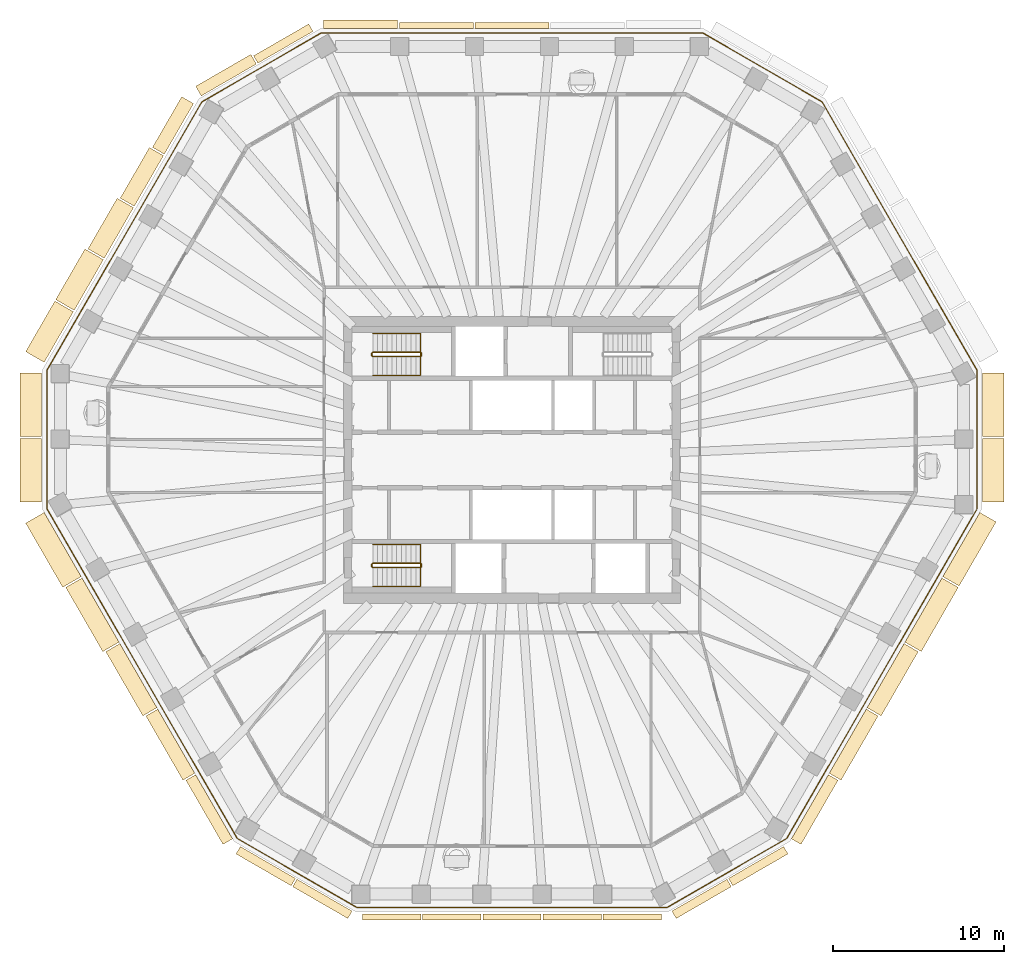
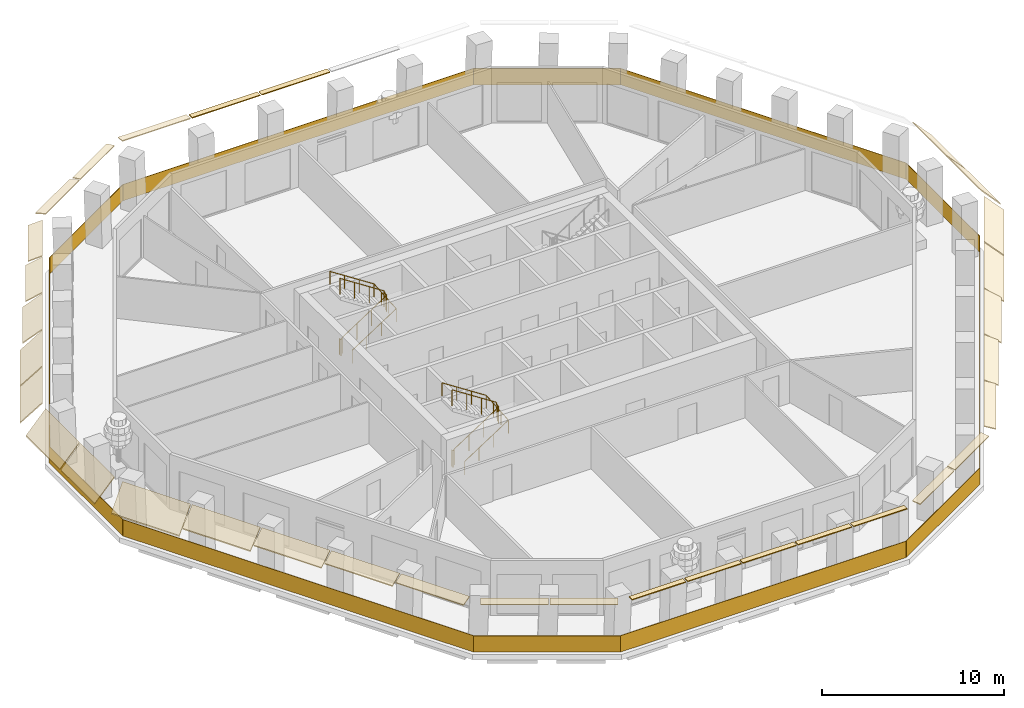
# One storey, part 9 of 12: 33 coverings, 5 railings.
"""IFC4 building model written with IfcOpenShell, lengths in metres."""

from ifc_helpers import new_model, si_unit, direction, frame, origin, origin_2d, place, context, subcontext, project, spatial, polyline, rectangle, circle, outline, extrude, material, layer, layer_set, type_object, element, save


model = new_model("IFC4")

# Units and contexts
model_context = context("Model", 3, precision=1e-05, world=origin(), true_north=direction((0.0, 1.0)))
body_context = subcontext(model_context, "Body", "Model", "MODEL_VIEW")
ifc_project = project(units=[si_unit("LENGTHUNIT", "METRE"), si_unit("AREAUNIT", "SQUARE_METRE"), si_unit("VOLUMEUNIT", "CUBIC_METRE"), si_unit("PLANEANGLEUNIT", "RADIAN"), si_unit("MASSUNIT", "GRAM", prefix="KILO")], contexts=[model_context])

# Site, building, storey
site_placement = place(None, origin())
site = spatial("IfcSite", under=ifc_project, at=site_placement, CompositionType="ELEMENT")
building_placement = place(site_placement, origin())
building = spatial("IfcBuilding", under=site, at=building_placement, Name="Frailejon Research Tower", CompositionType="ELEMENT")
storey_placement = place(building_placement, frame((0.0, 0.0, 249.39990234375)))
storey = spatial("IfcBuildingStorey", under=building, at=storey_placement, Name="L54", CompositionType="ELEMENT", Elevation=249.39990234375)

# Coverings
ifc_material_1 = material(Name="Precast concrete C50/60", Category="concrete")
ifc_layer_1 = layer(ifc_material_1, 0.06005859375)
ifc_layer_set_1 = layer_set([ifc_layer_1], Name="Brim blade depth 1100")
covering_type_1 = type_object("IfcCoveringType", Name="Brim blade depth 1100", PredefinedType="CLADDING", material=ifc_layer_set_1)
covering_1_placement = place(storey_placement, frame((-23.8642578125, 11.8056640625, 3.85009765625), z_axis=(0.499998981795, 0.866025991645, 0.0), x_axis=(-0.866025991645, 0.499998981795, 0.0)))
element("IfcCovering", 1, at=covering_1_placement, inside=storey, type_object=covering_type_1, Name="Brim blade L54", PredefinedType="CLADDING", context=body_context, shape_type="SweptSolid", body=[
    extrude(outline(polyline([(0.0, -0.078369140625), (1.10009765625, -1.001220703125), (1.10009765625, -0.923095703125), (0.0, 0.0), (0.0, -0.078369140625)])), origin(), (0.0, 0.0, 1.0), 3.41650390625),
])
for number, where, z_axis, x_axis, name in (
    (2, (-22.999755859375, -10.6630859375, 3.85009765625), (-0.500005723253, 0.866022099438, 0.0), (-0.866022099438, -0.500005723253, 0.0), "Brim blade L54"),
    (3, (25.165283203125, -6.912353515625, 3.85009765625), (-0.500005723253, -0.866022099438, 0.0), (0.866022099438, -0.500005723253, 0.0), "Brim blade L54"),
    (4, (27.380615234375, -3.0751953125, 3.85009765625), (-0.499988796889, -0.866031871807, 0.0), (0.866031871807, -0.499988796889, 0.0), "Brim blade L54"),
):
    element("IfcCovering", number, at=place(storey_placement, frame(where, z_axis=z_axis, x_axis=x_axis)), inside=storey, type_object=covering_type_1, Name=name, PredefinedType="CLADDING", context=body_context, shape_type="SweptSolid", body=[
        extrude(outline(polyline([(0.0, -0.078369140625), (1.10009765625, -1.001220703125), (1.10009765625, -0.923095703125), (0.0, 0.0), (0.0, -0.078369140625)])), origin(), (0.0, 0.0, 1.0), 4.330810546875),
    ])
ifc_material_2 = material(Name="Precast concrete C50/60", Category="concrete")
ifc_layer_2 = layer(ifc_material_2, 0.06005859375)
ifc_layer_set_2 = layer_set([ifc_layer_2], Name="Brim blade depth 1250")
covering_type_2 = type_object("IfcCoveringType", Name="Brim blade depth 1250", PredefinedType="CLADDING", material=ifc_layer_set_2)
for number, where, z_axis, x_axis, name in (
    (5, (27.54638671875, 1.27001953125, 3.85009765625), (0.0, -1.0, 0.0), (1.0, 0.0, 0.0), "Brim blade L54"),
    (6, (27.54638671875, 5.0966796875, 3.85009765625), (0.0, -1.0, 0.0), (1.0, 0.0, 0.0), "Brim blade L54"),
):
    element("IfcCovering", number, at=place(storey_placement, frame(where, z_axis=z_axis, x_axis=x_axis)), inside=storey, type_object=covering_type_2, Name=name, PredefinedType="CLADDING", context=body_context, shape_type="SweptSolid", body=[
        extrude(outline(polyline([(0.0, -0.0888671875), (1.25, -1.452880859375), (1.25, -1.364013671875), (0.0, 0.0), (0.0, -0.0888671875)])), origin(), (0.0, 0.0, 1.0), 3.726806640625),
    ])
for number, where, z_axis, x_axis, name in (
    (7, (-25.62255859375, 8.76025390625, 3.85009765625), (0.499998981795, 0.866025991645, 0.0), (-0.866025991645, 0.499998981795, 0.0), "Brim blade L54"),
    (8, (-27.380615234375, 5.71484375, 3.85009765625), (0.499986667949, 0.866033100911, 0.0), (-0.866033100911, 0.499986667949, 0.0), "Brim blade L54"),
):
    element("IfcCovering", number, at=place(storey_placement, frame(where, z_axis=z_axis, x_axis=x_axis)), inside=storey, type_object=covering_type_2, Name=name, PredefinedType="CLADDING", context=body_context, shape_type="SweptSolid", body=[
        extrude(outline(polyline([(0.0, -0.0888671875), (1.25, -1.452880859375), (1.25, -1.364013671875), (0.0, 0.0), (0.0, -0.0888671875)])), origin(), (0.0, 0.0, 1.0), 3.41650390625),
    ])
for number, where, z_axis, x_axis, name in (
    (9, (-27.54638671875, 1.369873046875, 3.85009765625), (0.0, 1.0, 0.0), (-1.0, 0.0, 0.0), "Brim blade L54"),
    (10, (-27.54638671875, -2.456787109375, 3.85009765625), (0.0, 1.0, 0.0), (-1.0, 0.0, 0.0), "Brim blade L54"),
):
    element("IfcCovering", number, at=place(storey_placement, frame(where, z_axis=z_axis, x_axis=x_axis)), inside=storey, type_object=covering_type_2, Name=name, PredefinedType="CLADDING", context=body_context, shape_type="SweptSolid", body=[
        extrude(outline(polyline([(0.0, -0.0888671875), (1.25, -1.452880859375), (1.25, -1.364013671875), (0.0, 0.0), (0.0, -0.0888671875)])), origin(), (0.0, 0.0, 1.0), 3.726806640625),
    ])
covering_2_placement = place(storey_placement, frame((-25.21533203125, -6.82568359375, 3.85009765625), z_axis=(-0.499988796889, 0.866031871807, 0.0), x_axis=(-0.866031871807, -0.499988796889, 0.0)))
element("IfcCovering", 11, at=covering_2_placement, inside=storey, type_object=covering_type_2, Name="Brim blade L54", PredefinedType="CLADDING", context=body_context, shape_type="SweptSolid", body=[
    extrude(outline(polyline([(0.0, -0.0888671875), (1.25, -1.452880859375), (1.25, -1.364013671875), (0.0, 0.0), (0.0, -0.0888671875)])), origin(), (0.0, 0.0, 1.0), 4.330810546875),
])
ifc_material_3 = material(Name="Precast concrete C50/60", Category="concrete")
ifc_layer_3 = layer(ifc_material_3, 0.06005859375)
ifc_layer_set_3 = layer_set([ifc_layer_3], Name="Brim blade depth 350")
covering_type_3 = type_object("IfcCoveringType", Name="Brim blade depth 350", PredefinedType="CLADDING", material=ifc_layer_set_3)
covering_3_placement = place(storey_placement, frame((-2.16552734375, 25.25, 3.85009765625), z_axis=(1.0, 0.0, 0.0), x_axis=(0.0, 1.0, 0.0)))
element("IfcCovering", 12, at=covering_3_placement, inside=storey, type_object=covering_type_3, Name="Brim blade L54", PredefinedType="CLADDING", context=body_context, shape_type="SweptSolid", body=[
    extrude(outline(polyline([(0.0, -0.06005859375), (0.35009765625, -0.06005859375), (0.35009765625, 0.0), (0.0, 0.0), (0.0, -0.06005859375)])), origin(), (0.0, 0.0, 1.0), 4.3310546875),
])
covering_4_placement = place(storey_placement, frame((-6.596435546875, 25.25, 3.85009765625), z_axis=(1.0, 0.0, 0.0), x_axis=(0.0, 1.0, 0.0)))
element("IfcCovering", 13, at=covering_4_placement, inside=storey, type_object=covering_type_3, Name="Brim blade L54", PredefinedType="CLADDING", context=body_context, shape_type="SweptSolid", body=[
    extrude(outline(polyline([(0.0, -0.06005859375), (0.35009765625, -0.06005859375), (0.35009765625, 0.0), (0.0, 0.0), (0.0, -0.06005859375)])), origin(), (0.0, 0.0, 1.0), 4.330810546875),
])
for number, where, z_axis, x_axis, name in (
    (14, (-5.32470703125, -26.56982421875, 3.85009765625), (-1.0, 0.0, 0.0), (0.0, -1.0, 0.0), "Brim blade L54"),
    (15, (-1.80810546875, -26.56982421875, 3.85009765625), (-1.0, 0.0, 0.0), (0.0, -1.0, 0.0), "Brim blade L54"),
    (16, (1.708251953125, -26.56982421875, 3.85009765625), (-1.0, 0.0, 0.0), (0.0, -1.0, 0.0), "Brim blade L54"),
    (17, (5.224609375, -26.56982421875, 3.85009765625), (-1.0, 0.0, 0.0), (0.0, -1.0, 0.0), "Brim blade L54"),
    (18, (8.7412109375, -26.56982421875, 3.85009765625), (-1.0, 0.0, 0.0), (0.0, -1.0, 0.0), "Brim blade L54"),
):
    element("IfcCovering", number, at=place(storey_placement, frame(where, z_axis=z_axis, x_axis=x_axis)), inside=storey, type_object=covering_type_3, Name=name, PredefinedType="CLADDING", context=body_context, shape_type="SweptSolid", body=[
        extrude(outline(polyline([(0.0, -0.06005859375), (0.35009765625, -0.06005859375), (0.35009765625, 0.0), (0.0, 0.0), (0.0, -0.06005859375)])), origin(), (0.0, 0.0, 1.0), 3.41650390625),
    ])
ifc_material_4 = material(Name="Precast concrete C50/60", Category="concrete")
ifc_layer_4 = layer(ifc_material_4, 0.06005859375)
ifc_layer_set_4 = layer_set([ifc_layer_4], Name="Brim blade depth 500")
covering_type_4 = type_object("IfcCoveringType", Name="Brim blade depth 500", PredefinedType="CLADDING", material=ifc_layer_set_4)
covering_5_placement = place(storey_placement, frame((-11.02734375, 25.25, 3.85009765625), z_axis=(1.0, 0.0, 0.0), x_axis=(0.0, 1.0, 0.0)))
element("IfcCovering", 19, at=covering_5_placement, inside=storey, type_object=covering_type_4, Name="Brim blade L54", PredefinedType="CLADDING", context=body_context, shape_type="SweptSolid", body=[
    extrude(outline(polyline([(0.0, -0.060546875), (0.5, -0.130859375), (0.5, -0.0703125), (0.0, 0.0), (0.0, -0.060546875)])), origin(), (0.0, 0.0, 1.0), 4.330810546875),
])
for number, where, z_axis, x_axis, name in (
    (20, (-14.873046875, 23.220947265625, 3.85009765625), (0.866018477835, 0.500011995905, 0.0), (-0.500011995905, 0.866018477835, 0.0), "Brim blade L54"),
    (21, (-12.673583984375, -24.49072265625, 3.85009765625), (-0.866029793251, 0.499992397145, 0.0), (-0.499992397145, -0.866029793251, 0.0), "Brim blade L54"),
    (22, (-9.359375, -26.404296875, 3.85009765625), (-0.866025010706, 0.50000068083, 0.0), (-0.50000068083, -0.866025010706, 0.0), "Brim blade L54"),
    (23, (12.5869140625, -24.540771484375, 3.85009765625), (-0.866025010706, -0.50000068083, 0.0), (0.50000068083, -0.866025010706, 0.0), "Brim blade L54"),
    (24, (15.90087890625, -22.62744140625, 3.85009765625), (-0.866029793251, -0.499992397145, 0.0), (0.499992397145, -0.866029793251, 0.0), "Brim blade L54"),
):
    element("IfcCovering", number, at=place(storey_placement, frame(where, z_axis=z_axis, x_axis=x_axis)), inside=storey, type_object=covering_type_4, Name=name, PredefinedType="CLADDING", context=body_context, shape_type="SweptSolid", body=[
        extrude(outline(polyline([(0.0, -0.060546875), (0.5, -0.130859375), (0.5, -0.0703125), (0.0, 0.0), (0.0, -0.060546875)])), origin(), (0.0, 0.0, 1.0), 3.726806640625),
    ])
ifc_material_5 = material(Name="Precast concrete C50/60", Category="concrete")
ifc_layer_5 = layer(ifc_material_5, 0.06005859375)
ifc_layer_set_5 = layer_set([ifc_layer_5], Name="Brim blade depth 650")
covering_type_5 = type_object("IfcCoveringType", Name="Brim blade depth 650", PredefinedType="CLADDING", material=ifc_layer_set_5)
covering_6_placement = place(storey_placement, frame((-18.18701171875, 21.3076171875, 3.85009765625), z_axis=(0.866029793251, 0.499992397145, 0.0), x_axis=(-0.499992397145, 0.866029793251, 0.0)))
element("IfcCovering", 25, at=covering_6_placement, inside=storey, type_object=covering_type_5, Name="Brim blade L54", PredefinedType="CLADDING", context=body_context, shape_type="SweptSolid", body=[
    extrude(outline(polyline([(0.0, -0.0625), (0.64990234375, -0.248779296875), (0.64990234375, -0.186279296875), (0.0, 0.0), (0.0, -0.0625)])), origin(), (0.0, 0.0, 1.0), 3.726806640625),
])
for number, where, z_axis, x_axis, name in (
    (26, (-16.353515625, -22.1748046875, 3.85009765625), (-0.499988796889, 0.866031871807, 0.0), (-0.866031871807, -0.499988796889, 0.0), "Brim blade L54"),
    (27, (18.518798828125, -18.42431640625, 3.85009765625), (-0.499988796889, -0.866031871807, 0.0), (0.866031871807, -0.499988796889, 0.0), "Brim blade L54"),
):
    element("IfcCovering", number, at=place(storey_placement, frame(where, z_axis=z_axis, x_axis=x_axis)), inside=storey, type_object=covering_type_5, Name=name, PredefinedType="CLADDING", context=body_context, shape_type="SweptSolid", body=[
        extrude(outline(polyline([(0.0, -0.0625), (0.64990234375, -0.248779296875), (0.64990234375, -0.186279296875), (0.0, 0.0), (0.0, -0.0625)])), origin(), (0.0, 0.0, 1.0), 4.330810546875),
    ])
ifc_material_6 = material(Name="Precast concrete C50/60", Category="concrete")
ifc_layer_6 = layer(ifc_material_6, 0.06005859375)
ifc_layer_set_6 = layer_set([ifc_layer_6], Name="Brim blade depth 800")
covering_type_6 = type_object("IfcCoveringType", Name="Brim blade depth 800", PredefinedType="CLADDING", material=ifc_layer_set_6)
covering_7_placement = place(storey_placement, frame((-20.347900390625, 17.896240234375, 3.85009765625), z_axis=(0.500007996105, 0.866020787182, 0.0), x_axis=(-0.866020787182, 0.500007996105, 0.0)))
element("IfcCovering", 28, at=covering_7_placement, inside=storey, type_object=covering_type_6, Name="Brim blade L54", PredefinedType="CLADDING", context=body_context, shape_type="SweptSolid", body=[
    extrude(outline(polyline([(0.0, -0.065673828125), (0.800048828125, -0.421875), (0.800048828125, -0.356201171875), (0.0, 0.0), (0.0, -0.065673828125)])), origin(), (0.0, 0.0, 1.0), 3.41650390625),
])
for number, where, z_axis, x_axis, name in (
    (29, (-18.56884765625, -18.337646484375, 3.85009765625), (-0.500005723253, 0.866022099438, 0.0), (-0.866022099438, -0.500005723253, 0.0), "Brim blade L54"),
    (30, (20.734375, -14.5869140625, 3.85009765625), (-0.500005723253, -0.866022099438, 0.0), (0.866022099438, -0.500005723253, 0.0), "Brim blade L54"),
):
    element("IfcCovering", number, at=place(storey_placement, frame(where, z_axis=z_axis, x_axis=x_axis)), inside=storey, type_object=covering_type_6, Name=name, PredefinedType="CLADDING", context=body_context, shape_type="SweptSolid", body=[
        extrude(outline(polyline([(0.0, -0.065673828125), (0.800048828125, -0.421875), (0.800048828125, -0.356201171875), (0.0, 0.0), (0.0, -0.065673828125)])), origin(), (0.0, 0.0, 1.0), 4.330810546875),
    ])
ifc_material_7 = material(Name="Precast concrete C50/60", Category="concrete")
ifc_layer_7 = layer(ifc_material_7, 0.06005859375)
ifc_layer_set_7 = layer_set([ifc_layer_7], Name="Brim blade depth 950")
covering_type_7 = type_object("IfcCoveringType", Name="Brim blade depth 950", PredefinedType="CLADDING", material=ifc_layer_set_7)
covering_8_placement = place(storey_placement, frame((-22.106201171875, 14.850830078125, 3.85009765625), z_axis=(0.499998981795, 0.866025991645, 0.0), x_axis=(-0.866025991645, 0.499998981795, 0.0)))
element("IfcCovering", 31, at=covering_8_placement, inside=storey, type_object=covering_type_7, Name="Brim blade L54", PredefinedType="CLADDING", context=body_context, shape_type="SweptSolid", body=[
    extrude(outline(polyline([(0.0, -0.07080078125), (0.949951171875, -0.664306640625), (0.949951171875, -0.593505859375), (0.0, 0.0), (0.0, -0.07080078125)])), origin(), (0.0, 0.0, 1.0), 3.41650390625),
])
for number, where, z_axis, x_axis, name in (
    (32, (-20.784423828125, -14.500244140625, 3.85009765625), (-0.499998568987, 0.866026229978, 0.0), (-0.866026229978, -0.499998568987, 0.0), "Brim blade L54"),
    (33, (22.94970703125, -10.749755859375, 3.85009765625), (-0.499998568987, -0.866026229978, 0.0), (0.866026229978, -0.499998568987, 0.0), "Brim blade L54"),
):
    element("IfcCovering", number, at=place(storey_placement, frame(where, z_axis=z_axis, x_axis=x_axis)), inside=storey, type_object=covering_type_7, Name=name, PredefinedType="CLADDING", context=body_context, shape_type="SweptSolid", body=[
        extrude(outline(polyline([(0.0, -0.07080078125), (0.949951171875, -0.664306640625), (0.949951171875, -0.593505859375), (0.0, 0.0), (0.0, -0.07080078125)])), origin(), (0.0, 0.0, 1.0), 4.330810546875),
    ])

# Railings
ifc_material_8 = material(Name="Laminated glass balustrade", Category="glass")
railing_type_1 = type_object("IfcRailingType", Name="Glass guard 1100", PredefinedType="GUARDRAIL", material=ifc_material_8)
railing_1_placement = place(storey_placement, frame((27.226318359375, -2.84765625, 0.0)))
element("IfcRailing", 34, at=railing_1_placement, inside=storey, type_object=railing_type_1, Name="Loggia guard L54", PredefinedType="GUARDRAIL", context=body_context, shape_type="SweptSolid", body=[
    extrude(rectangle(XDim=8.083740234375, YDim=0.030029296875, at=origin_2d()), frame((0.0, 4.0419921875, 0.0), z_axis=(0.0, 0.0, 1.0), x_axis=(0.0, 1.0, 0.0)), (0.0, 0.0, 1.0), 1.10009765625),
    extrude(rectangle(XDim=18.1572265625, YDim=0.030029296875, at=origin_2d()), frame((-4.539306640625, 15.946044921875, 0.0), z_axis=(0.0, 0.0, 1.0), x_axis=(-0.500000240635, 0.866025264854, 0.0)), (0.0, 0.0, 1.0), 1.10009765625),
    extrude(rectangle(XDim=8.08349609375, YDim=0.030029296875, at=origin_2d()), frame((-12.578857421875, 25.829345703125, 0.0), z_axis=(0.0, 0.0, 1.0), x_axis=(-0.866011562111, 0.500023973715, 0.0)), (0.0, 0.0, 1.0), 1.10009765625),
    extrude(rectangle(XDim=22.29443359375, YDim=0.030029296875, at=origin_2d()), frame((-27.226318359375, 27.850341796875, 0.0), z_axis=(0.0, 0.0, 1.0), x_axis=(-1.0, 0.0, 0.0)), (0.0, 0.0, 1.0), 1.10009765625),
    extrude(rectangle(XDim=8.08349609375, YDim=0.030029296875, at=origin_2d()), frame((-41.873779296875, 25.829345703125, 0.0), z_axis=(0.0, 0.0, 1.0), x_axis=(-0.866011562111, -0.500023973715, 0.0)), (0.0, 0.0, 1.0), 1.10009765625),
    extrude(rectangle(XDim=18.1572265625, YDim=0.030029296875, at=origin_2d()), frame((-49.913330078125, 15.946044921875, 0.0), z_axis=(0.0, 0.0, 1.0), x_axis=(-0.500000240635, -0.866025264854, 0.0)), (0.0, 0.0, 1.0), 1.10009765625),
    extrude(rectangle(XDim=8.083740234375, YDim=0.030029296875, at=origin_2d()), frame((-54.45263671875, 4.0419921875, 0.0), z_axis=(0.0, 0.0, 1.0), x_axis=(0.0, -1.0, 0.0)), (0.0, 0.0, 1.0), 1.10009765625),
    extrude(rectangle(XDim=22.294189453125, YDim=0.030029296875, at=origin_2d()), frame((-48.879150390625, -9.65380859375, 0.0), z_axis=(0.0, 0.0, 1.0), x_axis=(0.499995143237, -0.86602820782, 0.0)), (0.0, 0.0, 1.0), 1.10009765625),
    extrude(rectangle(XDim=8.083740234375, YDim=0.030029296875, at=origin_2d()), frame((-39.80517578125, -21.328125, 0.0), z_axis=(0.0, 0.0, 1.0), x_axis=(0.866032190624, -0.499988244665, 0.0)), (0.0, 0.0, 1.0), 1.10009765625),
    extrude(rectangle(XDim=18.1572265625, YDim=0.030029296875, at=origin_2d()), frame((-27.226318359375, -23.34912109375, 0.0), z_axis=(0.0, 0.0, 1.0), x_axis=(1.0, 0.0, 0.0)), (0.0, 0.0, 1.0), 1.10009765625),
    extrude(rectangle(XDim=8.083740234375, YDim=0.030029296875, at=origin_2d()), frame((-14.6474609375, -21.328125, 0.0), z_axis=(0.0, 0.0, 1.0), x_axis=(0.866032190624, 0.499988244665, 0.0)), (0.0, 0.0, 1.0), 1.10009765625),
    extrude(rectangle(XDim=22.224365234375, YDim=0.030029296875, at=origin_2d()), frame((-5.5908203125, -9.68408203125, 0.0), z_axis=(0.0, 0.0, 1.0), x_axis=(0.499996634604, 0.866027346788, 0.0)), (0.0, 0.0, 1.0), 1.10009765625),
])
ifc_material_9 = material(Name="Stainless steel", Category="steel")
railing_type_2 = type_object("IfcRailingType", Name="Stair guard 1100", PredefinedType="GUARDRAIL", material=ifc_material_9)
railing_2_placement = place(storey_placement, frame((-8.199951171875, 6.25, 0.0)))
element("IfcRailing", 35, at=railing_2_placement, inside=storey, type_object=railing_type_2, Name="L54 ST1 stair guard 1", PredefinedType="GUARDRAIL", context=body_context, shape_type="SweptSolid", body=[
    extrude(circle(Radius=0.02392578125, at=origin_2d()), frame((0.0, 0.0, 1.076171875), z_axis=(0.0, -1.0, 0.0), x_axis=(1.0, 0.0, 0.0)), (0.0, 0.0, 1.0), 0.14990234375),
    extrude(circle(Radius=0.02392578125, at=origin_2d()), frame((0.0, -0.14990234375, 1.076171875), z_axis=(0.256435381639, -0.256435381639, 0.931923704005), x_axis=(0.707106781187, 0.707106781187, 0.0)), (0.0, 0.0, 1.0), 0.195068359375),
    extrude(circle(Radius=0.02392578125, at=origin_2d()), frame((0.050048828125, -0.199951171875, 1.2578125), z_axis=(0.83868413941, 0.0, 0.544618136222), x_axis=(0.0, 1.0, 0.0)), (0.0, 0.0, 1.0), 3.33837890625),
    extrude(circle(Radius=0.02392578125, at=origin_2d()), frame((2.849853515625, -0.199951171875, 3.076171875), z_axis=(0.707106781187, 0.707106781187, 0.0), x_axis=(-0.707106781187, 0.707106781187, 0.0)), (0.0, 0.0, 1.0), 0.07080078125),
    extrude(circle(Radius=0.02392578125, at=origin_2d()), frame((2.89990234375, -0.14990234375, 3.076171875), z_axis=(0.0, 1.0, 0.0), x_axis=(-1.0, 0.0, 0.0)), (0.0, 0.0, 1.0), 0.14990234375),
    extrude(circle(Radius=0.02392578125, at=origin_2d()), frame((2.89990234375, 0.0, 3.076171875), z_axis=(-0.256435381639, 0.256435381639, 0.931923704005), x_axis=(-0.707106781187, -0.707106781187, 0.0)), (0.0, 0.0, 1.0), 0.195068359375),
    extrude(circle(Radius=0.02392578125, at=origin_2d()), frame((2.849853515625, 0.050048828125, 3.2578125), z_axis=(-0.83868413941, 0.0, 0.544618136222), x_axis=(0.0, -1.0, 0.0)), (0.0, 0.0, 1.0), 3.33837890625),
    extrude(circle(Radius=0.02099609375, at=origin_2d()), origin(), (0.0, 0.0, 1.0), 1.052001953125),
    extrude(circle(Radius=0.02099609375, at=origin_2d()), frame((0.0, -0.14990234375, 0.0)), (0.0, 0.0, 1.0), 1.052001953125),
    extrude(circle(Radius=0.02099609375, at=origin_2d()), frame((0.050048828125, -0.199951171875, 0.181884765625)), (0.0, 0.0, 1.0), 1.052001953125),
    extrude(circle(Radius=0.02099609375, at=origin_2d()), frame((0.9833984375, -0.199951171875, 0.787841796875)), (0.0, 0.0, 1.0), 1.052001953125),
    extrude(circle(Radius=0.02099609375, at=origin_2d()), frame((1.91650390625, -0.199951171875, 1.39404296875)), (0.0, 0.0, 1.0), 1.052001953125),
    extrude(circle(Radius=0.02099609375, at=origin_2d()), frame((2.849853515625, -0.199951171875, 2.0)), (0.0, 0.0, 1.0), 1.052001953125),
    extrude(circle(Radius=0.02099609375, at=origin_2d()), frame((2.89990234375, -0.14990234375, 2.0)), (0.0, 0.0, 1.0), 1.052001953125),
    extrude(circle(Radius=0.02099609375, at=origin_2d()), frame((2.89990234375, 0.0, 2.0)), (0.0, 0.0, 1.0), 1.052001953125),
    extrude(circle(Radius=0.02099609375, at=origin_2d()), frame((2.849853515625, 0.050048828125, 2.181884765625)), (0.0, 0.0, 1.0), 1.052001953125),
    extrude(circle(Radius=0.02099609375, at=origin_2d()), frame((1.91650390625, 0.050048828125, 2.787841796875)), (0.0, 0.0, 1.0), 1.052001953125),
    extrude(circle(Radius=0.02099609375, at=origin_2d()), frame((0.9833984375, 0.050048828125, 3.39404296875)), (0.0, 0.0, 1.0), 1.052001953125),
    extrude(circle(Radius=0.02099609375, at=origin_2d()), frame((0.050048828125, 0.050048828125, 4.0)), (0.0, 0.0, 1.0), 1.052001953125),
])
railing_3_placement = place(storey_placement, frame((-8.199951171875, -6.10009765625, 0.0)))
element("IfcRailing", 36, at=railing_3_placement, inside=storey, type_object=railing_type_2, Name="L54 ST2 stair guard 1", PredefinedType="GUARDRAIL", context=body_context, shape_type="SweptSolid", body=[
    extrude(circle(Radius=0.02392578125, at=origin_2d()), frame((0.0, 0.0, 1.076171875), z_axis=(0.0, -1.0, 0.0), x_axis=(1.0, 0.0, 0.0)), (0.0, 0.0, 1.0), 0.14990234375),
    extrude(circle(Radius=0.02392578125, at=origin_2d()), frame((0.0, -0.14990234375, 1.076171875), z_axis=(0.256435381639, -0.256435381639, 0.931923704005), x_axis=(0.707106781187, 0.707106781187, 0.0)), (0.0, 0.0, 1.0), 0.195068359375),
    extrude(circle(Radius=0.02392578125, at=origin_2d()), frame((0.050048828125, -0.199951171875, 1.2578125), z_axis=(0.83868413941, 0.0, 0.544618136222), x_axis=(0.0, 1.0, 0.0)), (0.0, 0.0, 1.0), 3.33837890625),
    extrude(circle(Radius=0.02392578125, at=origin_2d()), frame((2.849853515625, -0.199951171875, 3.076171875), z_axis=(0.707106781187, 0.707106781187, 0.0), x_axis=(-0.707106781187, 0.707106781187, 0.0)), (0.0, 0.0, 1.0), 0.07080078125),
    extrude(circle(Radius=0.02392578125, at=origin_2d()), frame((2.89990234375, -0.14990234375, 3.076171875), z_axis=(0.0, 1.0, 0.0), x_axis=(-1.0, 0.0, 0.0)), (0.0, 0.0, 1.0), 0.14990234375),
    extrude(circle(Radius=0.02392578125, at=origin_2d()), frame((2.89990234375, 0.0, 3.076171875), z_axis=(-0.256435381639, 0.256435381639, 0.931923704005), x_axis=(-0.707106781187, -0.707106781187, 0.0)), (0.0, 0.0, 1.0), 0.195068359375),
    extrude(circle(Radius=0.02392578125, at=origin_2d()), frame((2.849853515625, 0.050048828125, 3.2578125), z_axis=(-0.83868413941, 0.0, 0.544618136222), x_axis=(0.0, -1.0, 0.0)), (0.0, 0.0, 1.0), 3.33837890625),
    extrude(circle(Radius=0.02099609375, at=origin_2d()), origin(), (0.0, 0.0, 1.0), 1.052001953125),
    extrude(circle(Radius=0.02099609375, at=origin_2d()), frame((0.0, -0.14990234375, 0.0)), (0.0, 0.0, 1.0), 1.052001953125),
    extrude(circle(Radius=0.02099609375, at=origin_2d()), frame((0.050048828125, -0.199951171875, 0.181884765625)), (0.0, 0.0, 1.0), 1.052001953125),
    extrude(circle(Radius=0.02099609375, at=origin_2d()), frame((0.9833984375, -0.199951171875, 0.787841796875)), (0.0, 0.0, 1.0), 1.052001953125),
    extrude(circle(Radius=0.02099609375, at=origin_2d()), frame((1.91650390625, -0.199951171875, 1.39404296875)), (0.0, 0.0, 1.0), 1.052001953125),
    extrude(circle(Radius=0.02099609375, at=origin_2d()), frame((2.849853515625, -0.199951171875, 2.0)), (0.0, 0.0, 1.0), 1.052001953125),
    extrude(circle(Radius=0.02099609375, at=origin_2d()), frame((2.89990234375, -0.14990234375, 2.0)), (0.0, 0.0, 1.0), 1.052001953125),
    extrude(circle(Radius=0.02099609375, at=origin_2d()), frame((2.89990234375, 0.0, 2.0)), (0.0, 0.0, 1.0), 1.052001953125),
    extrude(circle(Radius=0.02099609375, at=origin_2d()), frame((2.849853515625, 0.050048828125, 2.181884765625)), (0.0, 0.0, 1.0), 1.052001953125),
    extrude(circle(Radius=0.02099609375, at=origin_2d()), frame((1.91650390625, 0.050048828125, 2.787841796875)), (0.0, 0.0, 1.0), 1.052001953125),
    extrude(circle(Radius=0.02099609375, at=origin_2d()), frame((0.9833984375, 0.050048828125, 3.39404296875)), (0.0, 0.0, 1.0), 1.052001953125),
    extrude(circle(Radius=0.02099609375, at=origin_2d()), frame((0.050048828125, 0.050048828125, 4.0)), (0.0, 0.0, 1.0), 1.052001953125),
])
ifc_material_10 = material(Name="Stainless steel", Category="steel")
railing_type_3 = type_object("IfcRailingType", Name="Stair handrail 900", PredefinedType="HANDRAIL", material=ifc_material_10)
railing_4_placement = place(storey_placement, frame((-8.14990234375, 4.949951171875, 0.181884765625)))
element("IfcRailing", 37, at=railing_4_placement, inside=storey, type_object=railing_type_3, Name="L54 ST1 stair handrail 1", PredefinedType="HANDRAIL", context=body_context, shape_type="SweptSolid", body=[
    extrude(circle(Radius=0.02392578125, at=origin_2d()), frame((0.0, 0.0, 0.8759765625), z_axis=(0.83868413941, 0.0, 0.544618136222), x_axis=(0.0, 1.0, 0.0)), (0.0, 0.0, 1.0), 3.33837890625),
    extrude(circle(Radius=0.02392578125, at=origin_2d()), frame((2.7998046875, 0.0, 2.69384765625), z_axis=(0.0, 0.997255538948, 0.074036410216), x_axis=(-1.0, 0.0, 0.0)), (0.0, 0.0, 1.0), 2.456787109375),
    extrude(circle(Radius=0.02392578125, at=origin_2d()), frame((2.7998046875, 2.449951171875, 2.8759765625), z_axis=(-0.83868413941, 0.0, 0.544618136222), x_axis=(0.0, -1.0, 0.0)), (0.0, 0.0, 1.0), 3.33837890625),
    extrude(circle(Radius=0.02099609375, at=origin_2d()), origin(), (0.0, 0.0, 1.0), 0.851806640625),
    extrude(circle(Radius=0.02099609375, at=origin_2d()), frame((0.933349609375, 0.0, 0.60595703125)), (0.0, 0.0, 1.0), 0.851806640625),
    extrude(circle(Radius=0.02099609375, at=origin_2d()), frame((1.866455078125, 0.0, 1.212158203125)), (0.0, 0.0, 1.0), 0.851806640625),
    extrude(circle(Radius=0.02099609375, at=origin_2d()), frame((2.7998046875, 0.0, 1.818115234375)), (0.0, 0.0, 1.0), 0.851806640625),
    extrude(circle(Radius=0.02099609375, at=origin_2d()), frame((2.7998046875, 0.816650390625, 1.878662109375)), (0.0, 0.0, 1.0), 0.851806640625),
    extrude(circle(Radius=0.02099609375, at=origin_2d()), frame((2.7998046875, 1.63330078125, 1.939453125)), (0.0, 0.0, 1.0), 0.851806640625),
    extrude(circle(Radius=0.02099609375, at=origin_2d()), frame((2.7998046875, 2.449951171875, 2.0)), (0.0, 0.0, 1.0), 0.851806640625),
    extrude(circle(Radius=0.02099609375, at=origin_2d()), frame((1.866455078125, 2.449951171875, 2.60595703125)), (0.0, 0.0, 1.0), 0.851806640625),
    extrude(circle(Radius=0.02099609375, at=origin_2d()), frame((0.933349609375, 2.449951171875, 3.212158203125)), (0.0, 0.0, 1.0), 0.851806640625),
    extrude(circle(Radius=0.02099609375, at=origin_2d()), frame((0.0, 2.449951171875, 3.818115234375)), (0.0, 0.0, 1.0), 0.851806640625),
])
railing_5_placement = place(storey_placement, frame((-8.14990234375, -7.39990234375, 0.181884765625)))
element("IfcRailing", 38, at=railing_5_placement, inside=storey, type_object=railing_type_3, Name="L54 ST2 stair handrail 1", PredefinedType="HANDRAIL", context=body_context, shape_type="SweptSolid", body=[
    extrude(circle(Radius=0.02392578125, at=origin_2d()), frame((0.0, 0.0, 0.8759765625), z_axis=(0.83868413941, 0.0, 0.544618136222), x_axis=(0.0, 1.0, 0.0)), (0.0, 0.0, 1.0), 3.33837890625),
    extrude(circle(Radius=0.02392578125, at=origin_2d()), frame((2.7998046875, 0.0, 2.69384765625), z_axis=(0.0, 0.997255538948, 0.074036410216), x_axis=(-1.0, 0.0, 0.0)), (0.0, 0.0, 1.0), 2.456787109375),
    extrude(circle(Radius=0.02392578125, at=origin_2d()), frame((2.7998046875, 2.449951171875, 2.8759765625), z_axis=(-0.83868413941, 0.0, 0.544618136222), x_axis=(0.0, -1.0, 0.0)), (0.0, 0.0, 1.0), 3.33837890625),
    extrude(circle(Radius=0.02099609375, at=origin_2d()), origin(), (0.0, 0.0, 1.0), 0.851806640625),
    extrude(circle(Radius=0.02099609375, at=origin_2d()), frame((0.933349609375, 0.0, 0.60595703125)), (0.0, 0.0, 1.0), 0.851806640625),
    extrude(circle(Radius=0.02099609375, at=origin_2d()), frame((1.866455078125, 0.0, 1.212158203125)), (0.0, 0.0, 1.0), 0.851806640625),
    extrude(circle(Radius=0.02099609375, at=origin_2d()), frame((2.7998046875, 0.0, 1.818115234375)), (0.0, 0.0, 1.0), 0.851806640625),
    extrude(circle(Radius=0.02099609375, at=origin_2d()), frame((2.7998046875, 0.816650390625, 1.878662109375)), (0.0, 0.0, 1.0), 0.851806640625),
    extrude(circle(Radius=0.02099609375, at=origin_2d()), frame((2.7998046875, 1.63330078125, 1.939453125)), (0.0, 0.0, 1.0), 0.851806640625),
    extrude(circle(Radius=0.02099609375, at=origin_2d()), frame((2.7998046875, 2.449951171875, 2.0)), (0.0, 0.0, 1.0), 0.851806640625),
    extrude(circle(Radius=0.02099609375, at=origin_2d()), frame((1.866455078125, 2.449951171875, 2.60595703125)), (0.0, 0.0, 1.0), 0.851806640625),
    extrude(circle(Radius=0.02099609375, at=origin_2d()), frame((0.933349609375, 2.449951171875, 3.212158203125)), (0.0, 0.0, 1.0), 0.851806640625),
    extrude(circle(Radius=0.02099609375, at=origin_2d()), frame((0.0, 2.449951171875, 3.818115234375)), (0.0, 0.0, 1.0), 0.851806640625),
])

save(model, "model.ifc")
